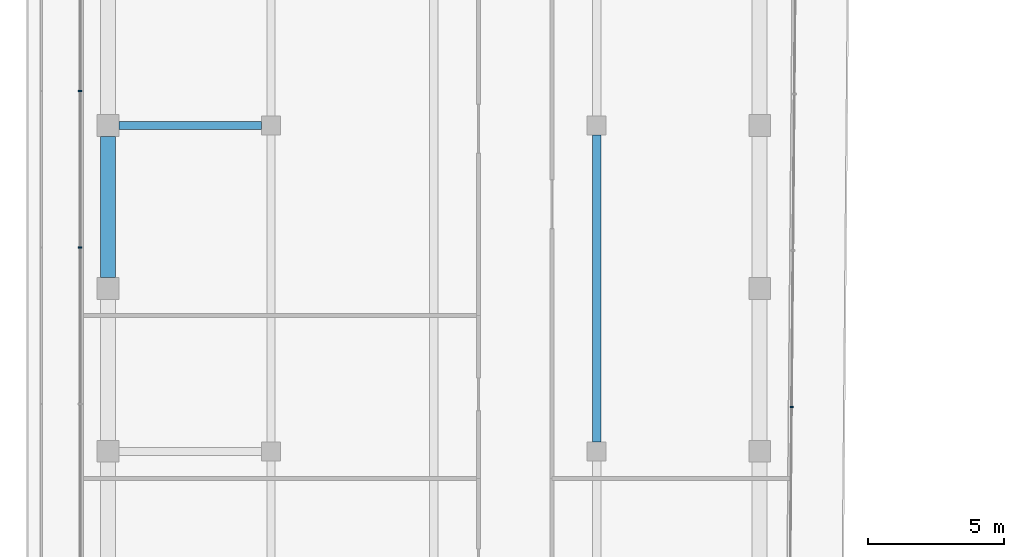
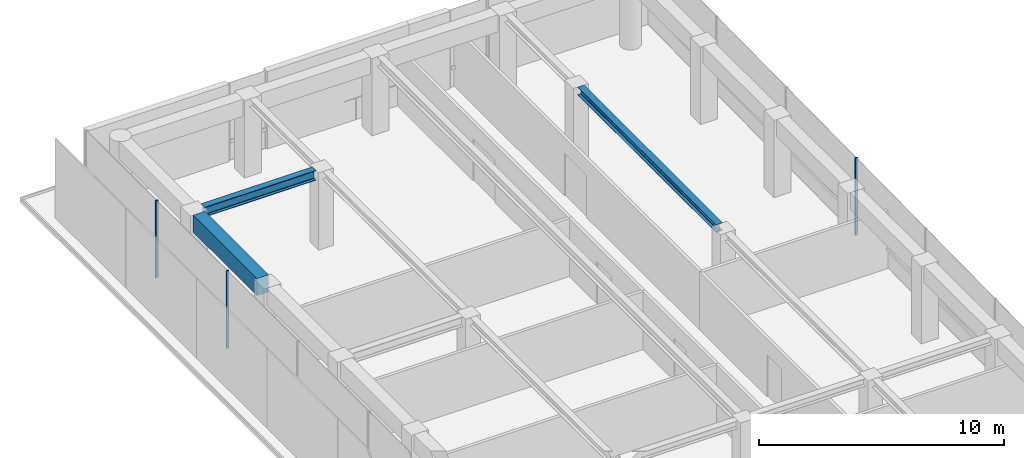
# One storey, part 11 of 19: 3 beams, 3 members, 2 elements without a shape of their own.
"""IFC4 building model written with IfcOpenShell, lengths in metres."""

from ifc_helpers import new_model, si_unit, direction, frame, origin, origin_2d, place, context, subcontext, project, spatial, rectangle, i_section, extrude, material, layer, layer_set, material_profile, profile_set, type_object, element, aggregate, save


model = new_model("IFC4")

# Units and contexts
model_context = context("Model", 3, precision=1e-05, world=origin(), true_north=direction((0.0, 1.0)))
body_context = subcontext(model_context, "Body", "Model", "MODEL_VIEW")
ifc_project = project(units=[si_unit("LENGTHUNIT", "METRE"), si_unit("AREAUNIT", "SQUARE_METRE"), si_unit("VOLUMEUNIT", "CUBIC_METRE"), si_unit("PLANEANGLEUNIT", "RADIAN"), si_unit("MASSUNIT", "GRAM", prefix="KILO")], contexts=[model_context])

# Site, building, storey
site_placement = place(None, origin())
site = spatial("IfcSite", under=ifc_project, at=site_placement, CompositionType="ELEMENT")
building_placement = place(site_placement, origin())
building = spatial("IfcBuilding", under=site, at=building_placement, Name="Welwitschia Terrace Campus", CompositionType="ELEMENT")
storey_placement = place(building_placement, frame((0.0, 0.0, 230.60009765625)))
storey = spatial("IfcBuildingStorey", under=building, at=storey_placement, Name="L51", CompositionType="ELEMENT", Elevation=230.60009765625)

# Beam
ifc_material_1 = material(Name="Steel S355", Category="steel")
ifc_material_profile_1 = material_profile(ifc_material_1, i_section(OverallWidth=0.300048828125, OverallDepth=0.389892578125, WebThickness=0.010986328125, FlangeThickness=0.01904296875, FilletRadius=0.027099609375, at=origin_2d()))
ifc_profile_set_1 = profile_set([ifc_material_profile_1], Name="Steel S355")
beam_type_1 = type_object("IfcBeamType", Name="Interior girder HE 400 A", PredefinedType="BEAM", material=ifc_profile_set_1)
beam_1_placement = place(storey_placement, frame((18.0, 52.3505859375, 3.65478515625), z_axis=(0.0, 1.0, 0.0), x_axis=(-1.0, 0.0, 0.0)))
element("IfcBeam", 1, at=beam_1_placement, inside=storey, type_object=beam_type_1, Name="Girder GB5", PredefinedType="BEAM", context=body_context, shape_type="SweptSolid", body=[
    extrude(i_section(OverallWidth=0.300048828125, OverallDepth=0.389892578125, WebThickness=0.010986328125, FlangeThickness=0.01904296875, FilletRadius=0.027099609375, at=origin_2d()), origin(), (0.0, 0.0, 1.0), 11.298828125),
])

# Curtain wall, members
ifc_material_2 = material(Name="Bronze anodised aluminium", Category="aluminium")
ifc_layer = layer(ifc_material_2, 0.1201171875)
ifc_layer_set = layer_set([ifc_layer], Name="Bronze anodised aluminium")
curtain_wall_type = type_object("IfcCurtainWallType", Name="Curtain wall CW2 tower 6000", PredefinedType="NOTDEFINED", material=ifc_layer_set)
curtain_wall_1_placement = place(storey_placement, origin())
curtain_wall_1 = element("IfcCurtainWall", 2, at=curtain_wall_1_placement, inside=storey, type_object=curtain_wall_type, Name="CW L51.1.0", PredefinedType="NOTDEFINED")
ifc_material_3 = material(Name="Bronze anodised aluminium", Category="aluminium")
ifc_material_profile_2 = material_profile(ifc_material_3, rectangle(XDim=0.1201171875, YDim=0.06005859375, at=origin_2d()))
ifc_profile_set_2 = profile_set([ifc_material_profile_2], Name="Bronze anodised aluminium")
member_type = type_object("IfcMemberType", Name="Mullion 60x120", PredefinedType="MULLION", material=ifc_profile_set_2)
member_1_placement = place(storey_placement, frame((-1.030029296875, 65.267333984375, 0.0), z_axis=(0.0, 0.0, 1.0), x_axis=(1.0, 0.0, 0.0)))
member_1 = element("IfcMember", 3, at=member_1_placement, type_object=member_type, Name="Mullion L51.1.0.1", PredefinedType="MULLION", context=body_context, shape_type="SweptSolid", body=[
    extrude(rectangle(XDim=0.1201171875, YDim=0.06005859375, at=origin_2d()), origin(), (0.0, 0.0, 1.0), 3.849853515625),
])
member_2_placement = place(storey_placement, frame((-1.030029296875, 59.504638671875, 0.0), z_axis=(0.0, 0.0, 1.0), x_axis=(1.0, 0.0, 0.0)))
member_2 = element("IfcMember", 4, at=member_2_placement, type_object=member_type, Name="Mullion L51.1.0.2", PredefinedType="MULLION", context=body_context, shape_type="SweptSolid", body=[
    extrude(rectangle(XDim=0.1201171875, YDim=0.06005859375, at=origin_2d()), origin(), (0.0, 0.0, 1.0), 3.849853515625),
])
aggregate(curtain_wall_1, [member_1, member_2])

# Curtain wall, member
curtain_wall_2_placement = place(storey_placement, origin())
curtain_wall_2 = element("IfcCurtainWall", 5, at=curtain_wall_2_placement, inside=storey, type_object=curtain_wall_type, Name="CW L51.10.0", PredefinedType="NOTDEFINED")
member_3_placement = place(storey_placement, frame((25.180908203125, 53.635986328125, 0.0), z_axis=(0.0, 0.0, 1.0), x_axis=(-0.999961923064, 0.008726535498, 0.0)))
member_3 = element("IfcMember", 6, at=member_3_placement, type_object=member_type, Name="Mullion L51.10.0.3", PredefinedType="MULLION", context=body_context, shape_type="SweptSolid", body=[
    extrude(rectangle(XDim=0.1201171875, YDim=0.06005859375, at=origin_2d()), origin(), (0.0, 0.0, 1.0), 3.849853515625),
])
aggregate(curtain_wall_2, [member_3])

# Beams
ifc_material_4 = material(Name="Steel S355", Category="steel")
ifc_material_profile_3 = material_profile(ifc_material_4, i_section(OverallWidth=0.300048828125, OverallDepth=0.489990234375, WebThickness=0.011962890625, FlangeThickness=0.02294921875, FilletRadius=0.027099609375, at=origin_2d()))
ifc_profile_set_3 = profile_set([ifc_material_profile_3], Name="Steel S355")
beam_type_2 = type_object("IfcBeamType", Name="Primary beam HE 500 A", PredefinedType="BEAM", material=ifc_profile_set_3)
beam_2_placement = place(storey_placement, frame((0.400390625, 64.0, 3.60498046875), z_axis=(1.0, 0.0, 0.0), x_axis=(0.0, 1.0, 0.0)))
element("IfcBeam", 7, at=beam_2_placement, inside=storey, type_object=beam_type_2, Name="Primary beam PB5", PredefinedType="BEAM", context=body_context, shape_type="SweptSolid", body=[
    extrude(i_section(OverallWidth=0.300048828125, OverallDepth=0.489990234375, WebThickness=0.011962890625, FlangeThickness=0.02294921875, FilletRadius=0.027099609375, at=origin_2d()), origin(), (0.0, 0.0, 1.0), 5.2490234375),
])
ifc_material_5 = material(Name="Concrete C50/60", Category="concrete")
ifc_material_profile_4 = material_profile(ifc_material_5, rectangle(XDim=0.550048828125, YDim=0.85009765625, at=origin_2d()))
ifc_profile_set_4 = profile_set([ifc_material_profile_4], Name="Concrete C50/60")
beam_type_3 = type_object("IfcBeamType", Name="Ring spandrel 550x850", PredefinedType="SPANDREL", material=ifc_profile_set_4)
beam_3_placement = place(storey_placement, frame((0.0, 63.599609375, 3.4248046875), z_axis=(0.0, -1.0, 0.0), x_axis=(1.0, 0.0, 0.0)))
element("IfcBeam", 8, at=beam_3_placement, inside=storey, type_object=beam_type_3, Name="Spandrel SP3", PredefinedType="SPANDREL", context=body_context, shape_type="SweptSolid", body=[
    extrude(rectangle(XDim=0.550048828125, YDim=0.85009765625, at=origin_2d()), origin(), (0.0, 0.0, 1.0), 5.19921875),
])

save(model, "model.ifc")
